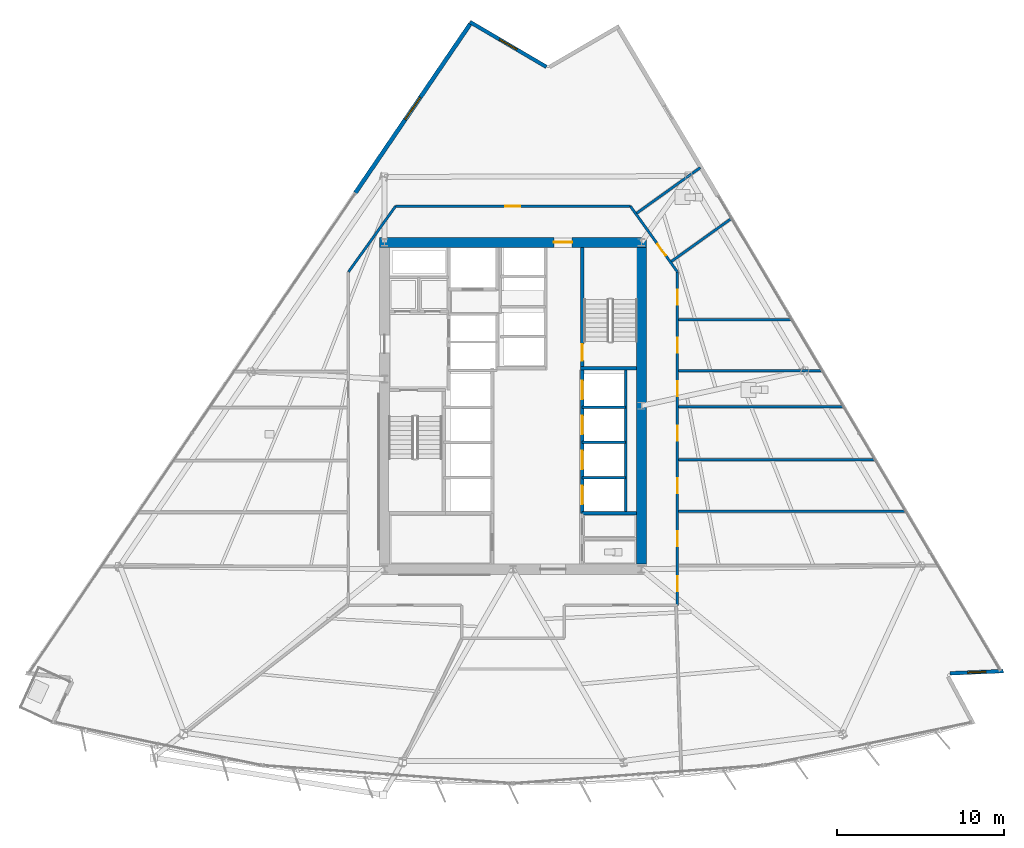
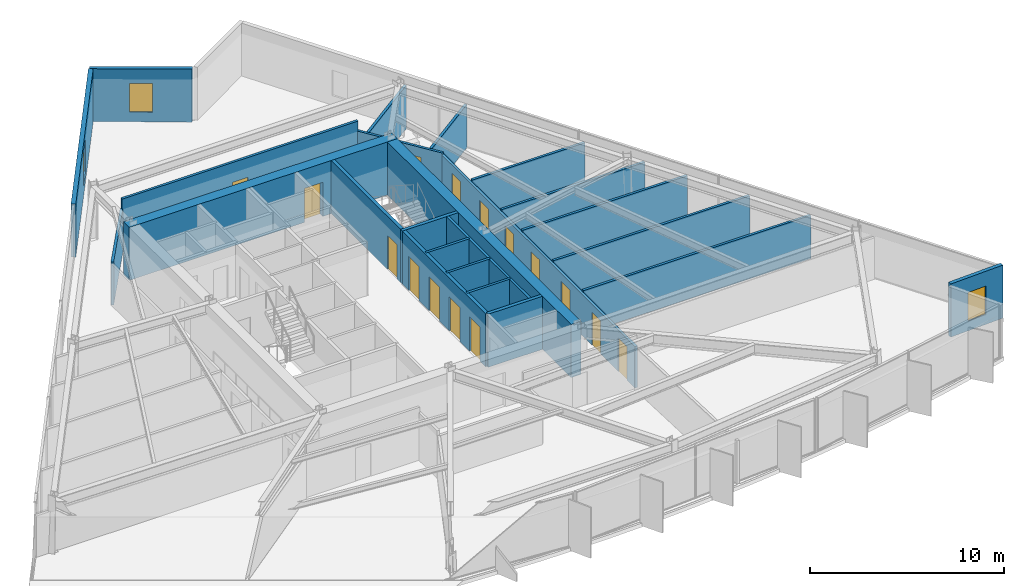
# One storey, part 10 of 17: 24 walls, 15 doors, 3 windows, 18 openings.
"""IFC4 building model written with IfcOpenShell, lengths in metres."""

from ifc_helpers import new_model, si_unit, direction, frame, frame_2d, origin, place, context, subcontext, project, spatial, rectangle, extrude, material, layer, layer_set, type_object, element, fill, save


model = new_model("IFC4")

# Units and contexts
model_context = context("Model", 3, precision=1e-05, world=origin(), true_north=direction((0.0, 1.0)))
body_context = subcontext(model_context, "Body", "Model", "MODEL_VIEW")
ifc_project = project(units=[si_unit("LENGTHUNIT", "METRE"), si_unit("AREAUNIT", "SQUARE_METRE"), si_unit("VOLUMEUNIT", "CUBIC_METRE"), si_unit("PLANEANGLEUNIT", "RADIAN"), si_unit("MASSUNIT", "GRAM", prefix="KILO")], contexts=[model_context])

# Site, building, storey
site_placement = place(None, origin())
site = spatial("IfcSite", under=ifc_project, at=site_placement, CompositionType="ELEMENT")
building_placement = place(site_placement, origin())
building = spatial("IfcBuilding", under=site, at=building_placement, Name="Savorim Split Tower", CompositionType="ELEMENT")
storey_placement = place(building_placement, frame((0.0, 0.0, 55.199951171875)))
storey = spatial("IfcBuildingStorey", under=building, at=storey_placement, Name="L14", CompositionType="ELEMENT", Elevation=55.199951171875)

# Wall, opening, door
ifc_material_1 = material(Name="Concrete C60/75", Category="concrete")
ifc_layer_1 = layer(ifc_material_1, 0.60009765625)
ifc_layer_set_1 = layer_set([ifc_layer_1], Name="WAL-COR-SH600")
wall_type_1 = type_object("IfcWallType", Name="WAL-COR-SH600", PredefinedType="SHEAR", material=ifc_layer_set_1)
wall_1_placement = place(storey_placement, frame((8.0, 10.199951171875, 0.0), z_axis=(0.0, 0.0, 1.0), x_axis=(-1.0, 0.0, 0.0)))
wall_1 = element("IfcWall", 1, at=wall_1_placement, inside=storey, type_object=wall_type_1, Name="L14 Offset Core North Shear Wall", PredefinedType="SHEAR", context=body_context, shape_type="SweptSolid", body=[
    extrude(rectangle(XDim=16.0, YDim=0.60009765625, at=frame_2d((8.0, 0.0))), origin(), (0.0, 0.0, 1.0), 3.35009765625),
])
opening_1_placement = place(wall_1_placement, frame((4.449951171875, 0.0, 0.0)))
opening_1 = element("IfcOpeningElement", 2, at=opening_1_placement, cuts=wall_1, Name="Opening DI-03", PredefinedType="OPENING", context=body_context, shape_type="SweptSolid", body=[
    extrude(rectangle(XDim=1.10009765625, YDim=2.14990234375, at=frame_2d((0.550048828125, 1.074951171875))), frame((0.0, 0.31005859375, 0.0), z_axis=(0.0, -1.0, 0.0), x_axis=(1.0, 0.0, 0.0)), (0.0, 0.0, 1.0), 0.6201171875),
])
ifc_material_2 = material(Name="Timber Fire Door Leaf", Category="wood")
door_type_1 = type_object("IfcDoorType", Name="DOR-FIR-1100", OperationType="NOTDEFINED", PredefinedType="DOOR", material=ifc_material_2)
door_1_placement = place(opening_1_placement, origin())
door_1 = element("IfcDoor", 3, at=door_1_placement, inside=storey, type_object=door_type_1, Name="DOR-L14-COR-NLOB - L14 North Corridor Lobby Fire Door", OperationType="SINGLE_SWING_LEFT", OverallHeight=2.14990234375, OverallWidth=1.10009765625, PredefinedType="DOOR", context=body_context, shape_type="SweptSolid", body=[
    extrude(rectangle(XDim=1.10009765625, YDim=2.14990234375, at=frame_2d((0.550048828125, 1.074951171875))), frame((0.0, 0.02490234375, 0.0), z_axis=(0.0, -1.0, 0.0), x_axis=(1.0, 0.0, 0.0)), (0.0, 0.0, 1.0), 0.050048828125),
])
fill(opening_1, door_1)

# Wall
wall_2_placement = place(storey_placement, frame((7.699951171875, 9.89990234375, 0.0), z_axis=(0.0, 0.0, 1.0), x_axis=(0.0, -1.0, 0.0)))
element("IfcWall", 4, at=wall_2_placement, inside=storey, type_object=wall_type_1, Name="L14 Offset Core East Shear Wall", PredefinedType="SHEAR", context=body_context, shape_type="SweptSolid", body=[
    extrude(rectangle(XDim=19.0, YDim=0.60009765625, at=frame_2d((9.5, 0.0))), origin(), (0.0, 0.0, 1.0), 3.35009765625),
])

# Wall, opening, window
ifc_material_3 = material(Name="Precast concrete C40/50", Category="concrete")
ifc_layer_2 = layer(ifc_material_3, 0.219970703125)
ifc_layer_set_2 = layer_set([ifc_layer_2], Name="WAL-EXT-CRN220")
wall_type_2 = type_object("IfcWallType", Name="WAL-EXT-CRN220", PredefinedType="SOLIDWALL", material=ifc_layer_set_2)
wall_3_placement = place(storey_placement, frame((29.39111328125, -15.50341796875, 0.0), z_axis=(0.0, 0.0, 1.0), x_axis=(-0.999095632957, -0.042519597906, 0.0)))
wall_3 = element("IfcWall", 5, at=wall_3_placement, inside=storey, type_object=wall_type_2, Name="L14 Notched Corner Facade Wall SE", PredefinedType="SOLIDWALL", context=body_context, shape_type="SweptSolid", body=[
    extrude(rectangle(XDim=3.186767578125, YDim=0.219970703125, at=frame_2d((1.59326171875, 0.0))), origin(), (0.0, 0.0, 1.0), 3.35009765625),
])
opening_2_placement = place(wall_3_placement, frame((1.043212890625, 0.0, 0.6201171875)))
opening_2 = element("IfcOpeningElement", 6, at=opening_2_placement, cuts=wall_3, Name="Opening WN-09", PredefinedType="OPENING", context=body_context, shape_type="SweptSolid", body=[
    extrude(rectangle(XDim=1.10009765625, YDim=1.800048828125, at=frame_2d((0.550048828125, 0.89990234375))), frame((0.0, 0.119873046875, 0.0), z_axis=(0.0, -1.0, 0.0), x_axis=(1.0, 0.0, 0.0)), (0.0, 0.0, 1.0), 0.239990234375),
])
ifc_material_4 = material(Name="Low-E Operable Double Glazing", Category="glass")
window_type_1 = type_object("IfcWindowType", Name="WIN-TWR-1100x1800", PartitioningType="SINGLE_PANEL", PredefinedType="WINDOW", material=ifc_material_4)
window_1_placement = place(opening_2_placement, origin())
window_1 = element("IfcWindow", 7, at=window_1_placement, inside=storey, type_object=window_type_1, Name="L14 Operable Corner Window SE", OverallHeight=1.800048828125, OverallWidth=1.10009765625, PartitioningType="SINGLE_PANEL", PredefinedType="WINDOW", context=body_context, shape_type="SweptSolid", body=[
    extrude(rectangle(XDim=1.10009765625, YDim=1.800048828125, at=frame_2d((0.550048828125, 0.89990234375))), frame((0.0, 0.030029296875, 0.0), z_axis=(0.0, -1.0, 0.0), x_axis=(1.0, 0.0, 0.0)), (0.0, 0.0, 1.0), 0.06005859375),
])
fill(opening_2, window_1)

wall_4_placement = place(storey_placement, frame((-2.572265625, 23.40283203125, 0.0), z_axis=(0.0, 0.0, 1.0), x_axis=(0.862137551275, -0.506674296449, 0.0)))
wall_4 = element("IfcWall", 8, at=wall_4_placement, inside=storey, type_object=wall_type_2, Name="L14 Notched Corner Facade Wall N", PredefinedType="SOLIDWALL", context=body_context, shape_type="SweptSolid", body=[
    extrude(rectangle(XDim=5.30712890625, YDim=0.219970703125, at=frame_2d((2.653564453125, 0.0))), origin(), (0.0, 0.0, 1.0), 3.35009765625),
])
opening_3_placement = place(wall_4_placement, frame((2.053466796875, 0.0, 0.6201171875)))
opening_3 = element("IfcOpeningElement", 9, at=opening_3_placement, cuts=wall_4, Name="Opening WN-08", PredefinedType="OPENING", context=body_context, shape_type="SweptSolid", body=[
    extrude(rectangle(XDim=1.199951171875, YDim=1.800048828125, at=frame_2d((0.60009765625, 0.89990234375))), frame((0.0, 0.119873046875, 0.0), z_axis=(0.0, -1.0, 0.0), x_axis=(1.0, 0.0, 0.0)), (0.0, 0.0, 1.0), 0.239990234375),
])
window_type_2 = type_object("IfcWindowType", Name="WIN-TWR-1200x1800", PartitioningType="SINGLE_PANEL", PredefinedType="WINDOW", material=ifc_material_4)
window_2_placement = place(opening_3_placement, origin())
window_2 = element("IfcWindow", 10, at=window_2_placement, inside=storey, type_object=window_type_2, Name="L14 Operable Corner Window N", OverallHeight=1.800048828125, OverallWidth=1.199951171875, PartitioningType="SINGLE_PANEL", PredefinedType="WINDOW", context=body_context, shape_type="SweptSolid", body=[
    extrude(rectangle(XDim=1.199951171875, YDim=1.800048828125, at=frame_2d((0.60009765625, 0.89990234375))), frame((0.0, 0.030029296875, 0.0), z_axis=(0.0, -1.0, 0.0), x_axis=(1.0, 0.0, 0.0)), (0.0, 0.0, 1.0), 0.06005859375),
])
fill(opening_3, window_2)

ifc_layer_3 = layer(ifc_material_3, 0.25)
ifc_layer_set_3 = layer_set([ifc_layer_3], Name="WAL-EXT-SPN250")
wall_type_3 = type_object("IfcWallType", Name="WAL-EXT-SPN250", PredefinedType="SOLIDWALL", material=ifc_layer_set_3)
wall_5_placement = place(storey_placement, frame((-9.45068359375, 13.163330078125, 0.0), z_axis=(0.0, 0.0, 1.0), x_axis=(0.562478152622, 0.826812147844, 0.0)))
wall_5 = element("IfcWall", 11, at=wall_5_placement, inside=storey, type_object=wall_type_3, Name="L14 West Operable Window Pier", PredefinedType="SOLIDWALL", context=body_context, shape_type="SweptSolid", body=[
    extrude(rectangle(XDim=12.232177734375, YDim=0.25, at=frame_2d((6.1162109375, 0.0))), origin(), (0.0, 0.0, 1.0), 3.35009765625),
])
opening_4_placement = place(wall_5_placement, frame((5.316162109375, 0.0, 0.6201171875)))
opening_4 = element("IfcOpeningElement", 12, at=opening_4_placement, cuts=wall_5, Name="Opening WN-05", PredefinedType="OPENING", context=body_context, shape_type="SweptSolid", body=[
    extrude(rectangle(XDim=1.60009765625, YDim=2.10009765625, at=frame_2d((0.800048828125, 1.050048828125))), frame((0.0, 0.135009765625, 0.0), z_axis=(0.0, -1.0, 0.0), x_axis=(1.0, 0.0, 0.0)), (0.0, 0.0, 1.0), 0.27001953125),
])
window_type_3 = type_object("IfcWindowType", Name="WIN-TWR-1600x2100", PartitioningType="DOUBLE_PANEL_VERTICAL", PredefinedType="WINDOW", material=ifc_material_4)
window_3_placement = place(opening_4_placement, origin())
window_3 = element("IfcWindow", 13, at=window_3_placement, inside=storey, type_object=window_type_3, Name="L14 West Operable Ventilation Window", OverallHeight=2.10009765625, OverallWidth=1.60009765625, PartitioningType="SINGLE_PANEL", PredefinedType="WINDOW", context=body_context, shape_type="SweptSolid", body=[
    extrude(rectangle(XDim=1.60009765625, YDim=2.10009765625, at=frame_2d((0.800048828125, 1.050048828125))), frame((0.0, 0.030029296875, 0.0), z_axis=(0.0, -1.0, 0.0), x_axis=(1.0, 0.0, 0.0)), (0.0, 0.0, 1.0), 0.06005859375),
])
fill(opening_4, window_3)

# Wall, opening, door
ifc_material_5 = material(Name="Concrete C50/60", Category="concrete")
ifc_layer_4 = layer(ifc_material_5, 0.199951171875)
ifc_layer_set_4 = layer_set([ifc_layer_4], Name="WAL-INT-RC200")
wall_type_4 = type_object("IfcWallType", Name="WAL-INT-RC200", PredefinedType="SOLIDWALL", material=ifc_layer_set_4)
wall_6_placement = place(storey_placement, frame((4.14990234375, 2.75, 0.0), z_axis=(0.0, 0.0, 1.0), x_axis=(0.0, 1.0, 0.0)))
wall_6 = element("IfcWall", 14, at=wall_6_placement, inside=storey, type_object=wall_type_4, Name="L14 Structural Shaft Wall W-L14-CR07", PredefinedType="SOLIDWALL", context=body_context, shape_type="SweptSolid", body=[
    extrude(rectangle(XDim=7.14990234375, YDim=0.199951171875, at=frame_2d((3.574951171875, 0.0))), origin(), (0.0, 0.0, 1.0), 3.35009765625),
])
opening_5_placement = place(wall_6_placement, frame((0.35009765625, 0.0, 0.0)))
opening_5 = element("IfcOpeningElement", 15, at=opening_5_placement, cuts=wall_6, Name="Opening DI-04", PredefinedType="OPENING", context=body_context, shape_type="SweptSolid", body=[
    extrude(rectangle(XDim=1.0, YDim=2.14990234375, at=frame_2d((0.5, 1.074951171875))), frame((0.0, 0.10986328125, 0.0), z_axis=(0.0, -1.0, 0.0), x_axis=(1.0, 0.0, 0.0)), (0.0, 0.0, 1.0), 0.219970703125),
])
door_type_2 = type_object("IfcDoorType", Name="DOR-FIR-1000", OperationType="NOTDEFINED", PredefinedType="DOOR", material=ifc_material_2)
door_2_placement = place(opening_5_placement, origin())
door_2 = element("IfcDoor", 16, at=door_2_placement, inside=storey, type_object=door_type_2, Name="DR-L14-ST2 - L14 Stair ST-2 Enclosure Door", OperationType="SINGLE_SWING_RIGHT", OverallHeight=2.14990234375, OverallWidth=1.0, PredefinedType="DOOR", context=body_context, shape_type="SweptSolid", body=[
    extrude(rectangle(XDim=1.0, YDim=2.14990234375, at=frame_2d((0.5, 1.074951171875))), frame((0.0, 0.02490234375, 0.0), z_axis=(0.0, -1.0, 0.0), x_axis=(1.0, 0.0, 0.0)), (0.0, 0.0, 1.0), 0.050048828125),
])
fill(opening_5, door_2)

# Wall
wall_7_placement = place(storey_placement, frame((4.050048828125, 2.64990234375, 0.0), z_axis=(0.0, 0.0, 1.0), x_axis=(1.0, 0.0, 0.0)))
element("IfcWall", 17, at=wall_7_placement, inside=storey, type_object=wall_type_4, Name="L14 Structural Shaft Wall W-L14-CR08", PredefinedType="SOLIDWALL", context=body_context, shape_type="SweptSolid", body=[
    extrude(rectangle(XDim=3.349853515625, YDim=0.199951171875, at=frame_2d((1.6748046875, 0.0))), origin(), (0.0, 0.0, 1.0), 3.35009765625),
])

# Wall, openings, doors
wall_8_placement = place(storey_placement, frame((4.14990234375, -6.050048828125, 0.0), z_axis=(0.0, 0.0, 1.0), x_axis=(0.0, 1.0, 0.0)))
wall_8 = element("IfcWall", 18, at=wall_8_placement, inside=storey, type_object=wall_type_4, Name="L14 Partition W-L14-B1FRONT", PredefinedType="SOLIDWALL", context=body_context, shape_type="SweptSolid", body=[
    extrude(rectangle(XDim=8.699951171875, YDim=0.199951171875, at=frame_2d((4.35009765625, 0.0))), origin(), (0.0, 0.0, 1.0), 3.35009765625),
])
opening_6_placement = place(wall_8_placement, frame((0.550048828125, 0.0, 0.0)))
opening_6 = element("IfcOpeningElement", 19, at=opening_6_placement, cuts=wall_8, Name="Opening LD-01", PredefinedType="OPENING", context=body_context, shape_type="SweptSolid", body=[
    extrude(rectangle(XDim=1.10009765625, YDim=2.14990234375, at=frame_2d((0.550048828125, 1.074951171875))), frame((0.0, 0.10986328125, 0.0), z_axis=(0.0, -1.0, 0.0), x_axis=(1.0, 0.0, 0.0)), (0.0, 0.0, 1.0), 0.219970703125),
])
opening_7_placement = place(wall_8_placement, frame((2.64990234375, 0.0, 0.0)))
opening_7 = element("IfcOpeningElement", 20, at=opening_7_placement, cuts=wall_8, Name="Opening LD-01", PredefinedType="OPENING", context=body_context, shape_type="SweptSolid", body=[
    extrude(rectangle(XDim=1.10009765625, YDim=2.14990234375, at=frame_2d((0.550048828125, 1.074951171875))), frame((0.0, 0.10986328125, 0.0), z_axis=(0.0, -1.0, 0.0), x_axis=(1.0, 0.0, 0.0)), (0.0, 0.0, 1.0), 0.219970703125),
])
opening_8_placement = place(wall_8_placement, frame((4.75, 0.0, 0.0)))
opening_8 = element("IfcOpeningElement", 21, at=opening_8_placement, cuts=wall_8, Name="Opening LD-01", PredefinedType="OPENING", context=body_context, shape_type="SweptSolid", body=[
    extrude(rectangle(XDim=1.10009765625, YDim=2.14990234375, at=frame_2d((0.550048828125, 1.074951171875))), frame((0.0, 0.10986328125, 0.0), z_axis=(0.0, -1.0, 0.0), x_axis=(1.0, 0.0, 0.0)), (0.0, 0.0, 1.0), 0.219970703125),
])
opening_9_placement = place(wall_8_placement, frame((6.85009765625, 0.0, 0.0)))
opening_9 = element("IfcOpeningElement", 22, at=opening_9_placement, cuts=wall_8, Name="Opening LD-01", PredefinedType="OPENING", context=body_context, shape_type="SweptSolid", body=[
    extrude(rectangle(XDim=1.10009765625, YDim=2.14990234375, at=frame_2d((0.550048828125, 1.074951171875))), frame((0.0, 0.10986328125, 0.0), z_axis=(0.0, -1.0, 0.0), x_axis=(1.0, 0.0, 0.0)), (0.0, 0.0, 1.0), 0.219970703125),
])
ifc_material_6 = material(Name="Charcoal Anodised Aluminium", Category="aluminium")
door_type_3 = type_object("IfcDoorType", Name="DOR-SLD-LD1100", OperationType="NOTDEFINED", PredefinedType="DOOR", material=ifc_material_6)
door_3_placement = place(opening_6_placement, origin())
door_3 = element("IfcDoor", 23, at=door_3_placement, inside=storey, type_object=door_type_3, Name="DR-L14-LD-PLL1 - L14 Lift PL-L1 Sliding Landing Door", OperationType="DOUBLE_DOOR_SLIDING", OverallHeight=2.14990234375, OverallWidth=1.10009765625, PredefinedType="DOOR", context=body_context, shape_type="SweptSolid", body=[
    extrude(rectangle(XDim=1.10009765625, YDim=2.14990234375, at=frame_2d((0.550048828125, 1.074951171875))), frame((0.0, 0.02490234375, 0.0), z_axis=(0.0, -1.0, 0.0), x_axis=(1.0, 0.0, 0.0)), (0.0, 0.0, 1.0), 0.050048828125),
])
fill(opening_6, door_3)
door_4_placement = place(opening_7_placement, origin())
door_4 = element("IfcDoor", 24, at=door_4_placement, inside=storey, type_object=door_type_3, Name="DR-L14-LD-PLL2 - L14 Lift PL-L2 Sliding Landing Door", OperationType="DOUBLE_DOOR_SLIDING", OverallHeight=2.14990234375, OverallWidth=1.10009765625, PredefinedType="DOOR", context=body_context, shape_type="SweptSolid", body=[
    extrude(rectangle(XDim=1.10009765625, YDim=2.14990234375, at=frame_2d((0.550048828125, 1.074951171875))), frame((0.0, 0.02490234375, 0.0), z_axis=(0.0, -1.0, 0.0), x_axis=(1.0, 0.0, 0.0)), (0.0, 0.0, 1.0), 0.050048828125),
])
fill(opening_7, door_4)
door_5_placement = place(opening_8_placement, origin())
door_5 = element("IfcDoor", 25, at=door_5_placement, inside=storey, type_object=door_type_3, Name="DR-L14-LD-PLL3 - L14 Lift PL-L3 Sliding Landing Door", OperationType="DOUBLE_DOOR_SLIDING", OverallHeight=2.14990234375, OverallWidth=1.10009765625, PredefinedType="DOOR", context=body_context, shape_type="SweptSolid", body=[
    extrude(rectangle(XDim=1.10009765625, YDim=2.14990234375, at=frame_2d((0.550048828125, 1.074951171875))), frame((0.0, 0.02490234375, 0.0), z_axis=(0.0, -1.0, 0.0), x_axis=(1.0, 0.0, 0.0)), (0.0, 0.0, 1.0), 0.050048828125),
])
fill(opening_8, door_5)
door_6_placement = place(opening_9_placement, origin())
door_6 = element("IfcDoor", 26, at=door_6_placement, inside=storey, type_object=door_type_3, Name="DR-L14-LD-PLL4 - L14 Lift PL-L4 Sliding Landing Door", OperationType="DOUBLE_DOOR_SLIDING", OverallHeight=2.14990234375, OverallWidth=1.10009765625, PredefinedType="DOOR", context=body_context, shape_type="SweptSolid", body=[
    extrude(rectangle(XDim=1.10009765625, YDim=2.14990234375, at=frame_2d((0.550048828125, 1.074951171875))), frame((0.0, 0.02490234375, 0.0), z_axis=(0.0, -1.0, 0.0), x_axis=(1.0, 0.0, 0.0)), (0.0, 0.0, 1.0), 0.050048828125),
])
fill(opening_9, door_6)

# Walls
wall_9_placement = place(storey_placement, frame((4.14990234375, -6.050048828125, 0.0), z_axis=(0.0, 0.0, 1.0), x_axis=(1.0, 0.0, 0.0)))
element("IfcWall", 27, at=wall_9_placement, inside=storey, type_object=wall_type_4, Name="L14 Partition W-L14-KSEP-E", PredefinedType="SOLIDWALL", context=body_context, shape_type="SweptSolid", body=[
    extrude(rectangle(XDim=3.2451171875, YDim=0.199951171875, at=frame_2d((1.62255859375, 0.0))), origin(), (0.0, 0.0, 1.0), 3.35009765625),
])
ifc_material_7 = material(Name="Acoustic Gypsum Partition Board")
ifc_layer_5 = layer(ifc_material_7, 0.14990234375)
ifc_layer_set_5 = layer_set([ifc_layer_5], Name="WAL-PAR-150")
wall_type_5 = type_object("IfcWallType", Name="WAL-PAR-150", PredefinedType="PARTITIONING", material=ifc_layer_set_5)
wall_10_placement = place(storey_placement, frame((6.75, -6.050048828125, 0.0), z_axis=(0.0, 0.0, 1.0), x_axis=(0.0, 1.0, 0.0)))
element("IfcWall", 28, at=wall_10_placement, inside=storey, type_object=wall_type_5, Name="L14 Partition W-L14-B1BACK", PredefinedType="PARTITIONING", context=body_context, shape_type="SweptSolid", body=[
    extrude(rectangle(XDim=8.699951171875, YDim=0.14990234375, at=frame_2d((4.35009765625, 0.0))), origin(), (0.0, 0.0, 1.0), 3.35009765625),
])
for number, where, z_axis, x_axis, name in (
    (29, (4.14990234375, -3.89990234375, 0.0), (0.0, 0.0, 1.0), (1.0, 0.0, 0.0), "L14 Partition W-L14-B1DIV1"),
    (30, (4.14990234375, -1.800048828125, 0.0), (0.0, 0.0, 1.0), (1.0, 0.0, 0.0), "L14 Partition W-L14-B1DIV2"),
    (31, (4.14990234375, 0.300048828125, 0.0), (0.0, 0.0, 1.0), (1.0, 0.0, 0.0), "L14 Partition W-L14-B1DIV3"),
):
    element("IfcWall", number, at=place(storey_placement, frame(where, z_axis=z_axis, x_axis=x_axis)), inside=storey, type_object=wall_type_5, Name=name, PredefinedType="PARTITIONING", context=body_context, shape_type="SweptSolid", body=[
        extrude(rectangle(XDim=2.60009765625, YDim=0.14990234375, at=frame_2d((1.300048828125, 0.0))), origin(), (0.0, 0.0, 1.0), 3.35009765625),
    ])
wall_11_placement = place(storey_placement, frame((-9.860107421875, 8.42578125, 0.0), z_axis=(0.0, 0.0, 1.0), x_axis=(0.582449511476, 0.812866881218, 0.0)))
element("IfcWall", 32, at=wall_11_placement, inside=storey, type_object=wall_type_5, Name="L14 Partition W-L14-COR-02", PredefinedType="PARTITIONING", context=body_context, shape_type="SweptSolid", body=[
    extrude(rectangle(XDim=4.840087890625, YDim=0.14990234375, at=frame_2d((2.419921875, 0.0))), origin(), (0.0, 0.0, 1.0), 2.72509765625),
])

# Wall, opening, door
wall_12_placement = place(storey_placement, frame((-7.041015625, 12.360107421875, 0.0), z_axis=(0.0, 0.0, 1.0), x_axis=(1.0, 0.0, 0.0)))
wall_12 = element("IfcWall", 33, at=wall_12_placement, inside=storey, type_object=wall_type_5, Name="L14 Partition W-L14-COR-03", PredefinedType="PARTITIONING", context=body_context, shape_type="SweptSolid", body=[
    extrude(rectangle(XDim=14.08203125, YDim=0.14990234375, at=frame_2d((7.041015625, 0.0))), origin(), (0.0, 0.0, 1.0), 3.35009765625),
])
opening_10_placement = place(wall_12_placement, frame((6.591064453125, 0.0, 0.0)))
opening_10 = element("IfcOpeningElement", 34, at=opening_10_placement, cuts=wall_12, Name="Opening DI-06", PredefinedType="OPENING", context=body_context, shape_type="SweptSolid", body=[
    extrude(rectangle(XDim=0.89990234375, YDim=2.10009765625, at=frame_2d((0.449951171875, 1.050048828125))), frame((0.0, 0.0849609375, 0.0), z_axis=(0.0, -1.0, 0.0), x_axis=(1.0, 0.0, 0.0)), (0.0, 0.0, 1.0), 0.169921875),
])
door_type_4 = type_object("IfcDoorType", Name="DOR-FIR-900", OperationType="NOTDEFINED", PredefinedType="DOOR", material=ifc_material_2)
door_7_placement = place(opening_10_placement, origin())
door_7 = element("IfcDoor", 35, at=door_7_placement, inside=storey, type_object=door_type_4, Name="DR-L14-RM15 - L14 Co-Working Commons Entry Door", OperationType="SINGLE_SWING_RIGHT", OverallHeight=2.10009765625, OverallWidth=0.89990234375, PredefinedType="DOOR", context=body_context, shape_type="SweptSolid", body=[
    extrude(rectangle(XDim=0.89990234375, YDim=2.10009765625, at=frame_2d((0.449951171875, 1.050048828125))), frame((0.0, 0.02490234375, 0.0), z_axis=(0.0, -1.0, 0.0), x_axis=(1.0, 0.0, 0.0)), (0.0, 0.0, 1.0), 0.050048828125),
])
fill(opening_10, door_7)

wall_13_placement = place(storey_placement, frame((7.041015625, 12.360107421875, 0.0), z_axis=(0.0, 0.0, 1.0), x_axis=(0.582449511476, -0.812866881218, 0.0)))
wall_13 = element("IfcWall", 36, at=wall_13_placement, inside=storey, type_object=wall_type_5, Name="L14 Partition W-L14-COR-04", PredefinedType="PARTITIONING", context=body_context, shape_type="SweptSolid", body=[
    extrude(rectangle(XDim=4.840087890625, YDim=0.14990234375, at=frame_2d((2.419921875, 0.0))), origin(), (0.0, 0.0, 1.0), 2.72509765625),
])
opening_11_placement = place(wall_13_placement, frame((2.7880859375, 0.0, 0.0)))
opening_11 = element("IfcOpeningElement", 37, at=opening_11_placement, cuts=wall_13, Name="Opening DI-13", PredefinedType="OPENING", context=body_context, shape_type="SweptSolid", body=[
    extrude(rectangle(XDim=0.85009765625, YDim=2.10009765625, at=frame_2d((0.425048828125, 1.050048828125))), frame((0.0, 0.0849609375, 0.0), z_axis=(0.0, -1.0, 0.0), x_axis=(1.0, 0.0, 0.0)), (0.0, 0.0, 1.0), 0.169921875),
])
door_type_5 = type_object("IfcDoorType", Name="DOR-FIR-850", OperationType="NOTDEFINED", PredefinedType="DOOR", material=ifc_material_2)
door_8_placement = place(opening_11_placement, origin())
door_8 = element("IfcDoor", 38, at=door_8_placement, inside=storey, type_object=door_type_5, Name="DR-L14-RM14 - L14 Shared Bathroom Entry Door", OperationType="SINGLE_SWING_LEFT", OverallHeight=2.10009765625, OverallWidth=0.85009765625, PredefinedType="DOOR", context=body_context, shape_type="SweptSolid", body=[
    extrude(rectangle(XDim=0.85009765625, YDim=2.10009765625, at=frame_2d((0.425048828125, 1.050048828125))), frame((0.0, 0.02490234375, 0.0), z_axis=(0.0, -1.0, 0.0), x_axis=(1.0, 0.0, 0.0)), (0.0, 0.0, 1.0), 0.050048828125),
])
fill(opening_11, door_8)

# Wall, openings, doors
wall_14_placement = place(storey_placement, frame((9.860107421875, 8.42578125, 0.0), z_axis=(0.0, 0.0, 1.0), x_axis=(0.0, -1.0, 0.0)))
wall_14 = element("IfcWall", 39, at=wall_14_placement, inside=storey, type_object=wall_type_5, Name="L14 Partition W-L14-COR-05", PredefinedType="PARTITIONING", context=body_context, shape_type="SweptSolid", body=[
    extrude(rectangle(XDim=19.98583984375, YDim=0.14990234375, at=frame_2d((9.992919921875, 0.0))), origin(), (0.0, 0.0, 1.0), 2.609130859375),
])
opening_12_placement = place(wall_14_placement, frame((18.25830078125, 0.0, 0.0)))
opening_12 = element("IfcOpeningElement", 40, at=opening_12_placement, cuts=wall_14, Name="Opening DI-06", PredefinedType="OPENING", context=body_context, shape_type="SweptSolid", body=[
    extrude(rectangle(XDim=0.89990234375, YDim=2.10009765625, at=frame_2d((0.449951171875, 1.050048828125))), frame((0.0, 0.0849609375, 0.0), z_axis=(0.0, -1.0, 0.0), x_axis=(1.0, 0.0, 0.0)), (0.0, 0.0, 1.0), 0.169921875),
])
opening_13_placement = place(wall_14_placement, frame((15.5361328125, 0.0, 0.0)))
opening_13 = element("IfcOpeningElement", 41, at=opening_13_placement, cuts=wall_14, Name="Opening DI-06", PredefinedType="OPENING", context=body_context, shape_type="SweptSolid", body=[
    extrude(rectangle(XDim=0.89990234375, YDim=2.10009765625, at=frame_2d((0.449951171875, 1.050048828125))), frame((0.0, 0.0849609375, 0.0), z_axis=(0.0, -1.0, 0.0), x_axis=(1.0, 0.0, 0.0)), (0.0, 0.0, 1.0), 0.169921875),
])
opening_14_placement = place(wall_14_placement, frame((12.360595703125, 0.0, 0.0)))
opening_14 = element("IfcOpeningElement", 42, at=opening_14_placement, cuts=wall_14, Name="Opening DI-06", PredefinedType="OPENING", context=body_context, shape_type="SweptSolid", body=[
    extrude(rectangle(XDim=0.89990234375, YDim=2.10009765625, at=frame_2d((0.449951171875, 1.050048828125))), frame((0.0, 0.0849609375, 0.0), z_axis=(0.0, -1.0, 0.0), x_axis=(1.0, 0.0, 0.0)), (0.0, 0.0, 1.0), 0.169921875),
])
opening_15_placement = place(wall_14_placement, frame((9.220703125, 0.0, 0.0)))
opening_15 = element("IfcOpeningElement", 43, at=opening_15_placement, cuts=wall_14, Name="Opening DI-06", PredefinedType="OPENING", context=body_context, shape_type="SweptSolid", body=[
    extrude(rectangle(XDim=0.89990234375, YDim=2.10009765625, at=frame_2d((0.449951171875, 1.050048828125))), frame((0.0, 0.0849609375, 0.0), z_axis=(0.0, -1.0, 0.0), x_axis=(1.0, 0.0, 0.0)), (0.0, 0.0, 1.0), 0.169921875),
])
opening_16_placement = place(wall_14_placement, frame((6.55712890625, 0.0, 0.0)))
opening_16 = element("IfcOpeningElement", 44, at=opening_16_placement, cuts=wall_14, Name="Opening DI-11", PredefinedType="OPENING", context=body_context, shape_type="SweptSolid", body=[
    extrude(rectangle(XDim=0.89990234375, YDim=2.10009765625, at=frame_2d((0.449951171875, 1.050048828125))), frame((0.0, 0.0849609375, 0.0), z_axis=(0.0, -1.0, 0.0), x_axis=(1.0, 0.0, 0.0)), (0.0, 0.0, 1.0), 0.169921875),
])
opening_17_placement = place(wall_14_placement, frame((3.945556640625, 0.0, 0.0)))
opening_17 = element("IfcOpeningElement", 45, at=opening_17_placement, cuts=wall_14, Name="Opening DI-06", PredefinedType="OPENING", context=body_context, shape_type="SweptSolid", body=[
    extrude(rectangle(XDim=0.89990234375, YDim=2.10009765625, at=frame_2d((0.449951171875, 1.050048828125))), frame((0.0, 0.0849609375, 0.0), z_axis=(0.0, -1.0, 0.0), x_axis=(1.0, 0.0, 0.0)), (0.0, 0.0, 1.0), 0.169921875),
])
opening_18_placement = place(wall_14_placement, frame((1.069091796875, 0.0, 0.0)))
opening_18 = element("IfcOpeningElement", 46, at=opening_18_placement, cuts=wall_14, Name="Opening DI-06", PredefinedType="OPENING", context=body_context, shape_type="SweptSolid", body=[
    extrude(rectangle(XDim=0.89990234375, YDim=2.10009765625, at=frame_2d((0.449951171875, 1.050048828125))), frame((0.0, 0.0849609375, 0.0), z_axis=(0.0, -1.0, 0.0), x_axis=(1.0, 0.0, 0.0)), (0.0, 0.0, 1.0), 0.169921875),
])
door_9_placement = place(opening_12_placement, origin())
door_9 = element("IfcDoor", 47, at=door_9_placement, inside=storey, type_object=door_type_4, Name="DR-L14-RM07 - L14 Co-Working Commons Entry Door", OperationType="SINGLE_SWING_RIGHT", OverallHeight=2.10009765625, OverallWidth=0.89990234375, PredefinedType="DOOR", context=body_context, shape_type="SweptSolid", body=[
    extrude(rectangle(XDim=0.89990234375, YDim=2.10009765625, at=frame_2d((0.449951171875, 1.050048828125))), frame((0.0, 0.02490234375, 0.0), z_axis=(0.0, -1.0, 0.0), x_axis=(1.0, 0.0, 0.0)), (0.0, 0.0, 1.0), 0.050048828125),
])
fill(opening_12, door_9)
door_10_placement = place(opening_13_placement, origin())
door_10 = element("IfcDoor", 48, at=door_10_placement, inside=storey, type_object=door_type_4, Name="DR-L14-RM08 - L14 Quiet Study Room Entry Door", OperationType="SINGLE_SWING_LEFT", OverallHeight=2.10009765625, OverallWidth=0.89990234375, PredefinedType="DOOR", context=body_context, shape_type="SweptSolid", body=[
    extrude(rectangle(XDim=0.89990234375, YDim=2.10009765625, at=frame_2d((0.449951171875, 1.050048828125))), frame((0.0, 0.02490234375, 0.0), z_axis=(0.0, -1.0, 0.0), x_axis=(1.0, 0.0, 0.0)), (0.0, 0.0, 1.0), 0.050048828125),
])
fill(opening_13, door_10)
door_11_placement = place(opening_14_placement, origin())
door_11 = element("IfcDoor", 49, at=door_11_placement, inside=storey, type_object=door_type_4, Name="DR-L14-RM09 - L14 Quiet Study Room Entry Door", OperationType="SINGLE_SWING_RIGHT", OverallHeight=2.10009765625, OverallWidth=0.89990234375, PredefinedType="DOOR", context=body_context, shape_type="SweptSolid", body=[
    extrude(rectangle(XDim=0.89990234375, YDim=2.10009765625, at=frame_2d((0.449951171875, 1.050048828125))), frame((0.0, 0.02490234375, 0.0), z_axis=(0.0, -1.0, 0.0), x_axis=(1.0, 0.0, 0.0)), (0.0, 0.0, 1.0), 0.050048828125),
])
fill(opening_14, door_11)
door_12_placement = place(opening_15_placement, origin())
door_12 = element("IfcDoor", 50, at=door_12_placement, inside=storey, type_object=door_type_4, Name="DR-L14-RM10 - L14 Quiet Study Room Entry Door", OperationType="SINGLE_SWING_LEFT", OverallHeight=2.10009765625, OverallWidth=0.89990234375, PredefinedType="DOOR", context=body_context, shape_type="SweptSolid", body=[
    extrude(rectangle(XDim=0.89990234375, YDim=2.10009765625, at=frame_2d((0.449951171875, 1.050048828125))), frame((0.0, 0.02490234375, 0.0), z_axis=(0.0, -1.0, 0.0), x_axis=(1.0, 0.0, 0.0)), (0.0, 0.0, 1.0), 0.050048828125),
])
fill(opening_15, door_12)
door_13_placement = place(opening_17_placement, origin())
door_13 = element("IfcDoor", 51, at=door_13_placement, inside=storey, type_object=door_type_4, Name="DR-L14-RM12 - L14 Maker Workshop Entry Door", OperationType="SINGLE_SWING_LEFT", OverallHeight=2.10009765625, OverallWidth=0.89990234375, PredefinedType="DOOR", context=body_context, shape_type="SweptSolid", body=[
    extrude(rectangle(XDim=0.89990234375, YDim=2.10009765625, at=frame_2d((0.449951171875, 1.050048828125))), frame((0.0, 0.02490234375, 0.0), z_axis=(0.0, -1.0, 0.0), x_axis=(1.0, 0.0, 0.0)), (0.0, 0.0, 1.0), 0.050048828125),
])
fill(opening_17, door_13)
door_14_placement = place(opening_18_placement, origin())
door_14 = element("IfcDoor", 52, at=door_14_placement, inside=storey, type_object=door_type_4, Name="DR-L14-RM13 - L14 Quiet Study Room Entry Door", OperationType="SINGLE_SWING_RIGHT", OverallHeight=2.10009765625, OverallWidth=0.89990234375, PredefinedType="DOOR", context=body_context, shape_type="SweptSolid", body=[
    extrude(rectangle(XDim=0.89990234375, YDim=2.10009765625, at=frame_2d((0.449951171875, 1.050048828125))), frame((0.0, 0.02490234375, 0.0), z_axis=(0.0, -1.0, 0.0), x_axis=(1.0, 0.0, 0.0)), (0.0, 0.0, 1.0), 0.050048828125),
])
fill(opening_18, door_14)
ifc_material_8 = material(Name="Oak Veneer Acoustic Door")
door_type_6 = type_object("IfcDoorType", Name="DOR-WC-900", OperationType="NOTDEFINED", PredefinedType="DOOR", material=ifc_material_8)
door_15_placement = place(opening_16_placement, origin())
door_15 = element("IfcDoor", 53, at=door_15_placement, inside=storey, type_object=door_type_6, Name="DR-L14-RM11 - L14 Shared Bathroom Entry Door", OperationType="SINGLE_SWING_RIGHT", OverallHeight=2.10009765625, OverallWidth=0.89990234375, PredefinedType="DOOR", context=body_context, shape_type="SweptSolid", body=[
    extrude(rectangle(XDim=0.89990234375, YDim=2.10009765625, at=frame_2d((0.449951171875, 1.050048828125))), frame((0.0, 0.02490234375, 0.0), z_axis=(0.0, -1.0, 0.0), x_axis=(1.0, 0.0, 0.0)), (0.0, 0.0, 1.0), 0.050048828125),
])
fill(opening_16, door_15)

# Walls
wall_15_placement = place(storey_placement, frame((9.919921875, 2.494384765625, 0.0), z_axis=(0.0, 0.0, 1.0), x_axis=(1.0, 0.0, 0.0)))
element("IfcWall", 54, at=wall_15_placement, inside=storey, type_object=wall_type_5, Name="L14 Partition W-L14-PRAD06", PredefinedType="PARTITIONING", context=body_context, shape_type="SweptSolid", body=[
    extrude(rectangle(XDim=8.54638671875, YDim=0.14990234375, at=frame_2d((4.273193359375, 0.0))), origin(), (0.0, 0.0, 1.0), 2.735107421875),
])
wall_16_placement = place(storey_placement, frame((7.413818359375, 11.942626953125, 0.0), z_axis=(0.0, 0.0, 1.0), x_axis=(0.81287753462, 0.582434643295, 0.0)))
element("IfcWall", 55, at=wall_16_placement, inside=storey, type_object=wall_type_5, Name="L14 Partition W-L14-PRAD07", PredefinedType="PARTITIONING", context=body_context, shape_type="SweptSolid", body=[
    extrude(rectangle(XDim=4.68798828125, YDim=0.14990234375, at=frame_2d((2.343994140625, 0.0))), origin(), (0.0, 0.0, 1.0), 2.72509765625),
])
wall_17_placement = place(storey_placement, frame((9.919921875, -2.832763671875, 0.0), z_axis=(0.0, 0.0, 1.0), x_axis=(1.0, 0.0, 0.0)))
element("IfcWall", 56, at=wall_17_placement, inside=storey, type_object=wall_type_5, Name="L14 Partition W-L14-SUB02", PredefinedType="PARTITIONING", context=body_context, shape_type="SweptSolid", body=[
    extrude(rectangle(XDim=11.7138671875, YDim=0.14990234375, at=frame_2d((5.85693359375, 0.0))), origin(), (0.0, 0.0, 1.0), 2.735107421875),
])
wall_18_placement = place(storey_placement, frame((9.489501953125, 9.0458984375, 0.0), z_axis=(0.0, 0.0, 1.0), x_axis=(0.812916011181, 0.582380939562, 0.0)))
element("IfcWall", 57, at=wall_18_placement, inside=storey, type_object=wall_type_5, Name="L14 Partition W-L14-SUB03", PredefinedType="PARTITIONING", context=body_context, shape_type="SweptSolid", body=[
    extrude(rectangle(XDim=4.38330078125, YDim=0.14990234375, at=frame_2d((2.191650390625, 0.0))), origin(), (0.0, 0.0, 1.0), 2.735107421875),
])
wall_19_placement = place(storey_placement, frame((9.919921875, -5.937255859375, 0.0), z_axis=(0.0, 0.0, 1.0), x_axis=(1.0, 0.0, 0.0)))
element("IfcWall", 58, at=wall_19_placement, inside=storey, type_object=wall_type_5, Name="L14 Partition W-L14-SUB07", PredefinedType="PARTITIONING", context=body_context, shape_type="SweptSolid", body=[
    extrude(rectangle(XDim=13.56005859375, YDim=0.14990234375, at=frame_2d((6.780029296875, 0.0))), origin(), (0.0, 0.0, 1.0), 2.735107421875),
])
wall_20_placement = place(storey_placement, frame((9.919921875, 0.3427734375, 0.0), z_axis=(0.0, 0.0, 1.0), x_axis=(1.0, 0.0, 0.0)))
element("IfcWall", 59, at=wall_20_placement, inside=storey, type_object=wall_type_5, Name="L14 Partition W-L14-SUB08", PredefinedType="PARTITIONING", context=body_context, shape_type="SweptSolid", body=[
    extrude(rectangle(XDim=9.82568359375, YDim=0.14990234375, at=frame_2d((4.912841796875, 0.0))), origin(), (0.0, 0.0, 1.0), 2.735107421875),
])
wall_21_placement = place(storey_placement, frame((9.919921875, 5.565673828125, 0.0), z_axis=(0.0, 0.0, 1.0), x_axis=(1.0, 0.0, 0.0)))
element("IfcWall", 60, at=wall_21_placement, inside=storey, type_object=wall_type_5, Name="L14 Partition W-L14-SUB09", PredefinedType="PARTITIONING", context=body_context, shape_type="SweptSolid", body=[
    extrude(rectangle(XDim=6.72021484375, YDim=0.14990234375, at=frame_2d((3.360107421875, 0.0))), origin(), (0.0, 0.0, 1.0), 2.735107421875),
])

save(model, "model.ifc")
